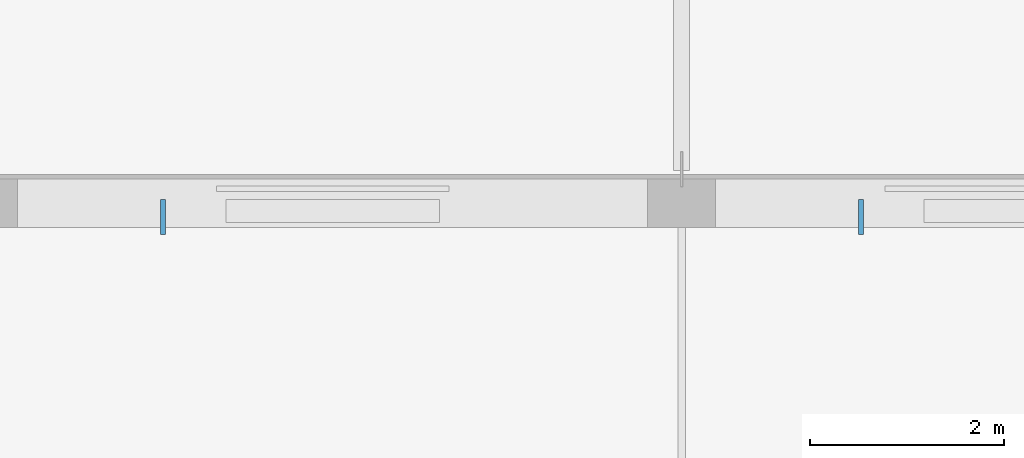
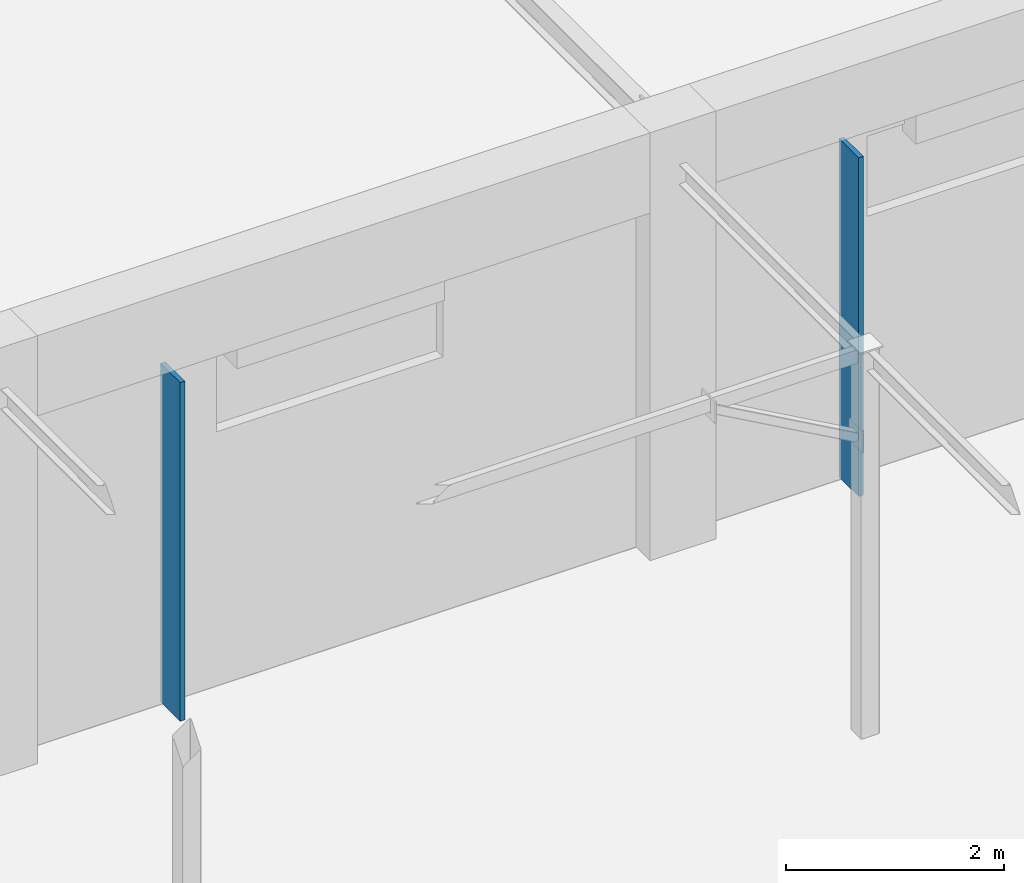
# One storey, part 37 of 85: 2 plates.
"""IFC4 building model written with IfcOpenShell, lengths in metres."""

from ifc_helpers import new_model, si_unit, direction, frame, origin, origin_2d, place, context, subcontext, project, spatial, rectangle, extrude, material, layer, layer_set, type_object, element, save


model = new_model("IFC4")

# Units and contexts
model_context = context("Model", 3, precision=1e-05, world=origin(), true_north=direction((0.0, 1.0)))
body_context = subcontext(model_context, "Body", "Model", "MODEL_VIEW")
ifc_project = project(units=[si_unit("LENGTHUNIT", "METRE"), si_unit("AREAUNIT", "SQUARE_METRE"), si_unit("VOLUMEUNIT", "CUBIC_METRE"), si_unit("PLANEANGLEUNIT", "RADIAN"), si_unit("MASSUNIT", "GRAM", prefix="KILO")], contexts=[model_context])

# Site, building, storey
site_placement = place(None, origin())
site = spatial("IfcSite", under=ifc_project, at=site_placement, CompositionType="ELEMENT")
building_placement = place(site_placement, origin())
building = spatial("IfcBuilding", under=site, at=building_placement, Name="Ochrevale Crest", CompositionType="ELEMENT")
storey_placement = place(building_placement, origin())
storey = spatial("IfcBuildingStorey", under=building, at=storey_placement, Name="L00", CompositionType="ELEMENT", Elevation=0.0)

# Plates
ifc_material = material(Name="Precast concrete C40/50", Category="concrete")
ifc_layer = layer(ifc_material, 0.050048828125)
ifc_layer_set = layer_set([ifc_layer], Name="Precast concrete C40/50")
plate_type = type_object("IfcPlateType", Name="PLT-HALL-FIN-50", PredefinedType="USERDEFINED", material=ifc_layer_set)
for number, where, z_axis, x_axis, name in (
    (1, (81.050048828125, 43.06005859375, 0.0), (0.0, 0.0, 1.0), (1.0, 0.0, 0.0), "Community Hall S ochre precast pilaster fin 4"),
    (2, (88.25, 43.06005859375, 0.0), (0.0, 0.0, 1.0), (1.0, 0.0, 0.0), "Community Hall S ochre precast pilaster fin 5"),
):
    element("IfcPlate", number, at=place(storey_placement, frame(where, z_axis=z_axis, x_axis=x_axis)), inside=storey, type_object=plate_type, Name=name, ObjectType="ARCHITECTURAL FIN", PredefinedType="USERDEFINED", context=body_context, shape_type="SweptSolid", body=[
        extrude(rectangle(XDim=0.050048828125, YDim=0.360107421875, at=origin_2d()), origin(), (0.0, 0.0, 1.0), 3.800048828125),
    ])

save(model, "model.ifc")
